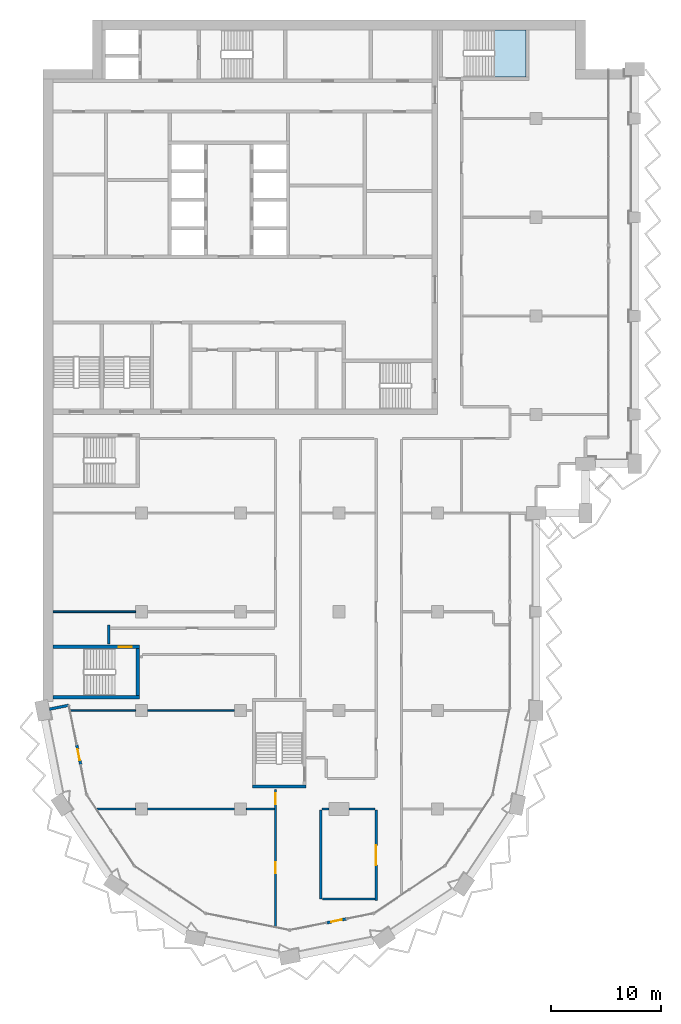
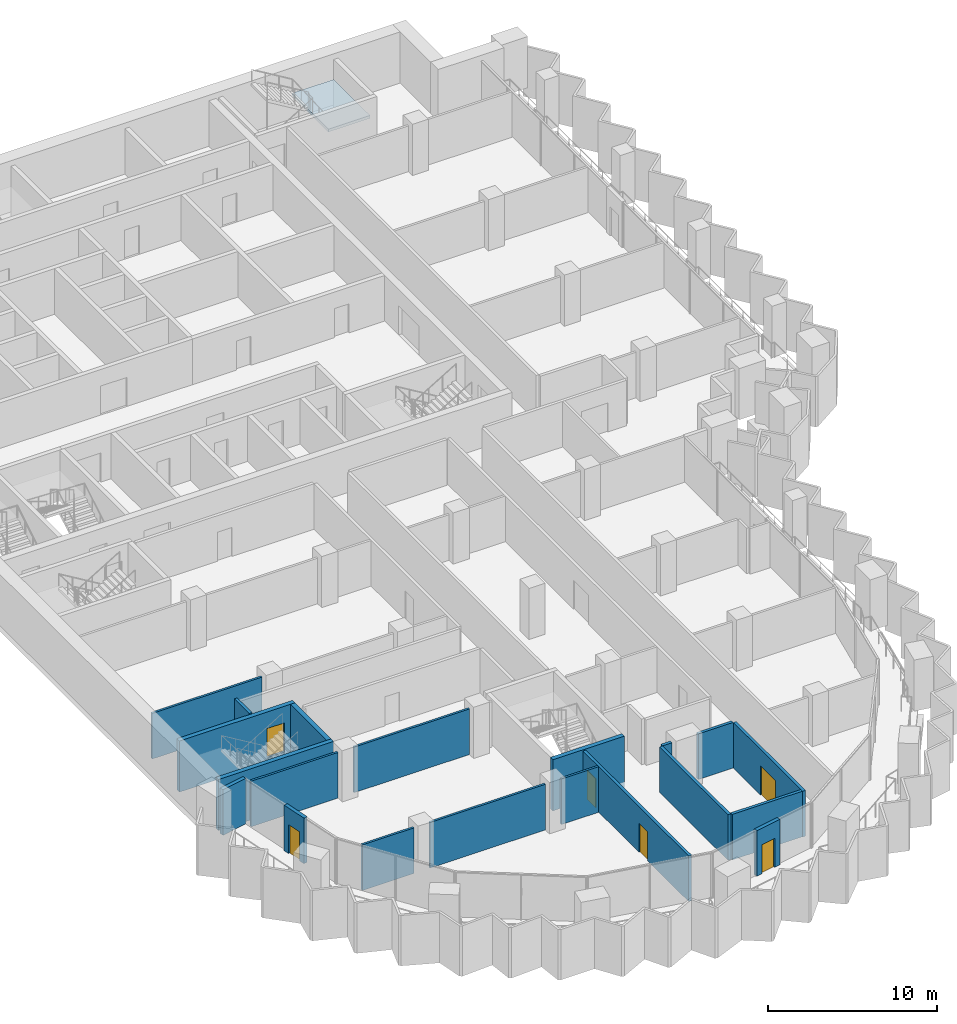
# One storey, part 7 of 17: 20 walls, 6 doors, 1 slab, 6 openings, 1 element without a shape of its own.
"""IFC4 building model written with IfcOpenShell, lengths in metres."""

from ifc_helpers import new_model, si_unit, direction, frame, frame_2d, origin, place, context, subcontext, project, spatial, polyline, rectangle, outline, extrude, material, layer, layer_set, type_object, element, fill, aggregate, save


model = new_model("IFC4")

# Units and contexts
model_context = context("Model", 3, precision=1e-05, world=origin(), true_north=direction((0.0, 1.0)))
body_context = subcontext(model_context, "Body", "Model", "MODEL_VIEW")
ifc_project = project(units=[si_unit("LENGTHUNIT", "METRE"), si_unit("AREAUNIT", "SQUARE_METRE"), si_unit("VOLUMEUNIT", "CUBIC_METRE"), si_unit("PLANEANGLEUNIT", "RADIAN"), si_unit("MASSUNIT", "GRAM", prefix="KILO")], contexts=[model_context])

# Site, building, storey
site_placement = place(None, origin())
site = spatial("IfcSite", under=ifc_project, at=site_placement, CompositionType="ELEMENT")
building_placement = place(site_placement, origin())
building = spatial("IfcBuilding", under=site, at=building_placement, Name="Hunhe Ridgeline Campus", CompositionType="ELEMENT")
storey_placement = place(building_placement, frame((0.0, 0.0, 205.0)))
storey = spatial("IfcBuildingStorey", under=building, at=storey_placement, Name="L52", CompositionType="ELEMENT", Elevation=205.0)

# Stair, slab
ifc_material_1 = material(Name="Concrete C40", Category="concrete")
stair_type = type_object("IfcStairType", Name="Reinforced concrete dog-leg stair 1950 Concrete C40", PredefinedType="HALF_TURN_STAIR", material=ifc_material_1)
stair_placement = place(storey_placement, origin())
stair = element("IfcStair", 1, at=stair_placement, inside=storey, type_object=stair_type, Name="L52 E1", PredefinedType="HALF_TURN_STAIR")
ifc_layer_1 = layer(ifc_material_1, 0.199951171875)
ifc_layer_set_1 = layer_set([ifc_layer_1], Name="Reinforced concrete stair landing 200 Concrete C40")
slab_type = type_object("IfcSlabType", Name="Reinforced concrete stair landing 200 Concrete C40", PredefinedType="LANDING", material=ifc_layer_set_1)
slab_placement = place(storey_placement, frame((0.0, 0.0, 1.64990234375)))
slab = element("IfcSlab", 2, at=slab_placement, type_object=slab_type, Name="ST5 landing 1", PredefinedType="LANDING", context=body_context, shape_type="SweptSolid", body=[
    extrude(outline(polyline([(41.199951171875, 93.800048828125), (44.050048828125, 93.800048828125), (44.050048828125, 98.10009765625), (41.199951171875, 98.10009765625), (41.199951171875, 93.800048828125)])), origin(), (0.0, 0.0, 1.0), 0.2001953125),
])
aggregate(stair, [slab])

# Walls
ifc_material_2 = material(Name="Concrete C30", Category="concrete")
ifc_layer_2 = layer(ifc_material_2, 0.25)
ifc_layer_set_2 = layer_set([ifc_layer_2], Name="Corner return wall 250 Concrete C30")
wall_type_1 = type_object("IfcWallType", Name="Corner return wall 250 Concrete C30", PredefinedType="SOLIDWALL", material=ifc_layer_set_2)
wall_1_placement = place(storey_placement, frame((0.58837890625, 36.117919921875, 0.0), z_axis=(0.0, 0.0, 1.0), x_axis=(0.980840518545, 0.194812415363, 0.0)))
element("IfcWall", 3, at=wall_1_placement, inside=storey, type_object=wall_type_1, Name="Corner return wall 1", PredefinedType="SOLIDWALL", context=body_context, shape_type="SweptSolid", body=[
    extrude(rectangle(XDim=1.80078125, YDim=0.25, at=frame_2d((0.900390625, 0.0))), origin(), (0.0, 0.0, 1.0), 3.300048828125),
])
ifc_material_3 = material(Name="Gypsum board partition")
ifc_layer_3 = layer(ifc_material_3, 0.199951171875)
ifc_layer_set_3 = layer_set([ifc_layer_3], Name="Corridor partition 200 gypsum board on steel studs")
wall_type_2 = type_object("IfcWallType", Name="Corridor partition 200 gypsum board on steel studs", PredefinedType="PARTITIONING", material=ifc_layer_set_3)
wall_2_placement = place(storey_placement, frame((25.492919921875, 18.7900390625, 0.0), z_axis=(0.0, 0.0, 1.0), x_axis=(1.0, 0.0, 0.0)))
element("IfcWall", 4, at=wall_2_placement, inside=storey, type_object=wall_type_2, Name="F-L52-wall-001", PredefinedType="PARTITIONING", context=body_context, shape_type="SweptSolid", body=[
    extrude(rectangle(XDim=4.80712890625, YDim=0.199951171875, at=frame_2d((2.403564453125, 0.0))), origin(), (0.0, 0.0, 1.0), 3.300048828125),
])
wall_3_placement = place(storey_placement, frame((26.10009765625, 27.0, 0.0), z_axis=(0.0, 0.0, 1.0), x_axis=(-1.0, 0.0, 0.0)))
element("IfcWall", 5, at=wall_3_placement, inside=storey, type_object=wall_type_2, Name="F-L52-wall-002", PredefinedType="PARTITIONING", context=body_context, shape_type="SweptSolid", body=[
    extrude(rectangle(XDim=0.650146484375, YDim=0.199951171875, at=frame_2d((0.3251953125, 0.0))), origin(), (0.0, 0.0, 1.0), 3.300048828125),
])
wall_4_placement = place(storey_placement, frame((30.300048828125, 27.0, 0.0), z_axis=(0.0, 0.0, 1.0), x_axis=(-1.0, 0.0, 0.0)))
element("IfcWall", 6, at=wall_4_placement, inside=storey, type_object=wall_type_2, Name="F-L52-wall-003", PredefinedType="PARTITIONING", context=body_context, shape_type="SweptSolid", body=[
    extrude(rectangle(XDim=2.400146484375, YDim=0.199951171875, at=frame_2d((1.2001953125, 0.0))), origin(), (0.0, 0.0, 1.0), 3.300048828125),
])
wall_5_placement = place(storey_placement, frame((6.0, 42.053955078125, 0.0), z_axis=(0.0, 0.0, 1.0), x_axis=(0.0, 1.0, 0.0)))
element("IfcWall", 7, at=wall_5_placement, inside=storey, type_object=wall_type_2, Name="F-L52-wall-045", PredefinedType="PARTITIONING", context=body_context, shape_type="SweptSolid", body=[
    extrude(rectangle(XDim=1.74609375, YDim=0.199951171875, at=frame_2d((0.873046875, 0.0))), origin(), (0.0, 0.0, 1.0), 3.300048828125),
])

# Wall, openings, doors
wall_6_placement = place(storey_placement, frame((21.199951171875, 16.26171875, 0.0), z_axis=(0.0, 0.0, 1.0), x_axis=(0.0, 1.0, 0.0)))
wall_6 = element("IfcWall", 8, at=wall_6_placement, inside=storey, type_object=wall_type_2, Name="F-L52-wall-047", PredefinedType="PARTITIONING", context=body_context, shape_type="SweptSolid", body=[
    extrude(rectangle(XDim=12.5341796875, YDim=0.199951171875, at=frame_2d((6.26708984375, 0.0))), origin(), (0.0, 0.0, 1.0), 3.300048828125),
])
opening_1_placement = place(wall_6_placement, frame((4.889892578125, 0.0, 0.0)))
opening_1 = element("IfcOpeningElement", 9, at=opening_1_placement, cuts=wall_6, Name="Opening RD1-001", PredefinedType="OPENING", context=body_context, shape_type="SweptSolid", body=[
    extrude(rectangle(XDim=1.0, YDim=2.10009765625, at=frame_2d((0.5, 1.050048828125))), frame((0.0, 0.10009765625, 0.0), z_axis=(0.0, -1.0, 0.0), x_axis=(1.0, 0.0, 0.0)), (0.0, 0.0, 1.0), 0.199951171875),
])
opening_2_placement = place(wall_6_placement, frame((11.156982421875, 0.0, 0.0)))
opening_2 = element("IfcOpeningElement", 10, at=opening_2_placement, cuts=wall_6, Name="Opening RD1-004", PredefinedType="OPENING", context=body_context, shape_type="SweptSolid", body=[
    extrude(rectangle(XDim=1.0, YDim=2.10009765625, at=frame_2d((0.5, 1.050048828125))), frame((0.0, 0.10009765625, 0.0), z_axis=(0.0, -1.0, 0.0), x_axis=(1.0, 0.0, 0.0)), (0.0, 0.0, 1.0), 0.199951171875),
])
ifc_material_4 = material(Name="Timber door leaf", Category="wood")
door_type_1 = type_object("IfcDoorType", Name="Single fire door 1000x2100 timber FD60", OperationType="NOTDEFINED", PredefinedType="DOOR", material=ifc_material_4)
door_1_placement = place(opening_1_placement, origin())
door_1 = element("IfcDoor", 11, at=door_1_placement, inside=storey, type_object=door_type_1, Name="F-L52-door-001", OperationType="SINGLE_SWING_RIGHT", OverallHeight=2.10009765625, OverallWidth=1.0, PredefinedType="DOOR", context=body_context, shape_type="SweptSolid", body=[
    extrude(rectangle(XDim=1.0, YDim=2.10009765625, at=frame_2d((0.5, 1.050048828125))), frame((0.0, 0.02490234375, 0.0), z_axis=(0.0, -1.0, 0.0), x_axis=(1.0, 0.0, 0.0)), (0.0, 0.0, 1.0), 0.050048828125),
])
fill(opening_1, door_1)
door_2_placement = place(opening_2_placement, origin())
door_2 = element("IfcDoor", 12, at=door_2_placement, inside=storey, type_object=door_type_1, Name="F-L52-door-004", OperationType="SINGLE_SWING_RIGHT", OverallHeight=2.10009765625, OverallWidth=1.0, PredefinedType="DOOR", context=body_context, shape_type="SweptSolid", body=[
    extrude(rectangle(XDim=1.0, YDim=2.10009765625, at=frame_2d((0.5, 1.050048828125))), frame((0.0, 0.02490234375, 0.0), z_axis=(0.0, -1.0, 0.0), x_axis=(1.0, 0.0, 0.0)), (0.0, 0.0, 1.0), 0.050048828125),
])
fill(opening_2, door_2)

# Wall
wall_7_placement = place(storey_placement, frame((25.35009765625, 26.89990234375, 0.0), z_axis=(0.0, 0.0, 1.0), x_axis=(0.0, -1.0, 0.0)))
element("IfcWall", 13, at=wall_7_placement, inside=storey, type_object=wall_type_2, Name="F-L52-wall-051", PredefinedType="PARTITIONING", context=body_context, shape_type="SweptSolid", body=[
    extrude(rectangle(XDim=8.10986328125, YDim=0.199951171875, at=frame_2d((4.054931640625, 0.0))), origin(), (0.0, 0.0, 1.0), 3.300048828125),
])

# Wall, opening, door
wall_8_placement = place(storey_placement, frame((30.39990234375, 18.670654296875, 0.0), z_axis=(0.0, 0.0, 1.0), x_axis=(0.0, 1.0, 0.0)))
wall_8 = element("IfcWall", 14, at=wall_8_placement, inside=storey, type_object=wall_type_2, Name="F-L52-wall-053", PredefinedType="PARTITIONING", context=body_context, shape_type="SweptSolid", body=[
    extrude(rectangle(XDim=8.229248046875, YDim=0.199951171875, at=frame_2d((4.11474609375, 0.0))), origin(), (0.0, 0.0, 1.0), 3.300048828125),
])
opening_3_placement = place(wall_8_placement, frame((3.214599609375, 0.0, 0.0)))
opening_3 = element("IfcOpeningElement", 15, at=opening_3_placement, cuts=wall_8, Name="Opening RD2-002", PredefinedType="OPENING", context=body_context, shape_type="SweptSolid", body=[
    extrude(rectangle(XDim=1.800048828125, YDim=2.10009765625, at=frame_2d((0.89990234375, 1.050048828125))), frame((0.0, 0.10009765625, 0.0), z_axis=(0.0, -1.0, 0.0), x_axis=(1.0, 0.0, 0.0)), (0.0, 0.0, 1.0), 0.199951171875),
])
door_type_2 = type_object("IfcDoorType", Name="Double fire door 1800x2100 timber FD60", OperationType="DOUBLE_DOOR_SINGLE_SWING", PredefinedType="DOOR", material=ifc_material_4)
door_3_placement = place(opening_3_placement, origin())
door_3 = element("IfcDoor", 16, at=door_3_placement, inside=storey, type_object=door_type_2, Name="F-L52-door-002", OperationType="DOUBLE_DOOR_SINGLE_SWING", OverallHeight=2.10009765625, OverallWidth=1.800048828125, PredefinedType="DOOR", context=body_context, shape_type="SweptSolid", body=[
    extrude(rectangle(XDim=1.800048828125, YDim=2.10009765625, at=frame_2d((0.89990234375, 1.050048828125))), frame((0.0, 0.02490234375, 0.0), z_axis=(0.0, -1.0, 0.0), x_axis=(1.0, 0.0, 0.0)), (0.0, 0.0, 1.0), 0.050048828125),
])
fill(opening_3, door_3)

ifc_layer_4 = layer(ifc_material_2, 0.25)
ifc_layer_set_4 = layer_set([ifc_layer_4], Name="Loggia door pier wall 250 Concrete C30")
wall_type_3 = type_object("IfcWallType", Name="Loggia door pier wall 250 Concrete C30", PredefinedType="SOLIDWALL", material=ifc_layer_set_4)
wall_9_placement = place(storey_placement, frame((3.076904296875, 32.8388671875, 0.0), z_axis=(0.0, 0.0, 1.0), x_axis=(0.195046569833, -0.980793982239, 0.0)))
wall_9 = element("IfcWall", 17, at=wall_9_placement, inside=storey, type_object=wall_type_3, Name="Loggia door pier 1", PredefinedType="SOLIDWALL", context=body_context, shape_type="SweptSolid", body=[
    extrude(rectangle(XDim=1.800048828125, YDim=0.25, at=frame_2d((0.89990234375, 0.0))), origin(), (0.0, 0.0, 1.0), 3.300048828125),
])
opening_4_placement = place(wall_9_placement, frame((0.39990234375, 0.0, 0.0)))
opening_4 = element("IfcOpeningElement", 18, at=opening_4_placement, cuts=wall_9, Name="Opening BD401", PredefinedType="OPENING", context=body_context, shape_type="SweptSolid", body=[
    extrude(rectangle(XDim=1.0, YDim=2.10009765625, at=frame_2d((0.5, 1.050048828125))), frame((0.0, 0.125, 0.0), z_axis=(0.0, -1.0, 0.0), x_axis=(1.0, 0.0, 0.0)), (0.0, 0.0, 1.0), 0.25),
])
ifc_material_5 = material(Name="Aluminium 6063", Category="aluminium")
door_type_3 = type_object("IfcDoorType", Name="Loggia glazed door 1000x2100", OperationType="NOTDEFINED", PredefinedType="DOOR", material=ifc_material_5)
door_4_placement = place(opening_4_placement, frame((1.0, 0.0, 0.0), z_axis=(0.0, 0.0, 1.0), x_axis=(-1.0, 0.0, 0.0)))
door_4 = element("IfcDoor", 19, at=door_4_placement, inside=storey, type_object=door_type_3, Name="Loggia door BD401", OperationType="SINGLE_SWING_RIGHT", OverallHeight=2.10009765625, OverallWidth=1.0, PredefinedType="DOOR", context=body_context, shape_type="SweptSolid", body=[
    extrude(rectangle(XDim=1.0, YDim=2.10009765625, at=frame_2d((0.5, 1.050048828125))), frame((0.0, 0.02490234375, 0.0), z_axis=(0.0, -1.0, 0.0), x_axis=(1.0, 0.0, 0.0)), (0.0, 0.0, 1.0), 0.050048828125),
])
fill(opening_4, door_4)

wall_10_placement = place(storey_placement, frame((25.8955078125, 16.62353515625, 0.0), z_axis=(0.0, 0.0, 1.0), x_axis=(0.980793982239, 0.195046569833, 0.0)))
wall_10 = element("IfcWall", 20, at=wall_10_placement, inside=storey, type_object=wall_type_3, Name="Loggia door pier 2", PredefinedType="SOLIDWALL", context=body_context, shape_type="SweptSolid", body=[
    extrude(rectangle(XDim=1.800048828125, YDim=0.25, at=frame_2d((0.89990234375, 0.0))), origin(), (0.0, 0.0, 1.0), 3.300048828125),
])
opening_5_placement = place(wall_10_placement, frame((0.39990234375, 0.0, 0.0)))
opening_5 = element("IfcOpeningElement", 21, at=opening_5_placement, cuts=wall_10, Name="Opening BD403", PredefinedType="OPENING", context=body_context, shape_type="SweptSolid", body=[
    extrude(rectangle(XDim=1.0, YDim=2.10009765625, at=frame_2d((0.5, 1.050048828125))), frame((0.0, 0.125, 0.0), z_axis=(0.0, -1.0, 0.0), x_axis=(1.0, 0.0, 0.0)), (0.0, 0.0, 1.0), 0.25),
])
door_5_placement = place(opening_5_placement, frame((1.0, 0.0, 0.0), z_axis=(0.0, 0.0, 1.0), x_axis=(-1.0, 0.0, 0.0)))
door_5 = element("IfcDoor", 22, at=door_5_placement, inside=storey, type_object=door_type_3, Name="Loggia door BD403", OperationType="SINGLE_SWING_RIGHT", OverallHeight=2.10009765625, OverallWidth=1.0, PredefinedType="DOOR", context=body_context, shape_type="SweptSolid", body=[
    extrude(rectangle(XDim=1.0, YDim=2.10009765625, at=frame_2d((0.5, 1.050048828125))), frame((0.0, 0.02490234375, 0.0), z_axis=(0.0, -1.0, 0.0), x_axis=(1.0, 0.0, 0.0)), (0.0, 0.0, 1.0), 0.050048828125),
])
fill(opening_5, door_5)

# Walls
ifc_layer_5 = layer(ifc_material_3, 0.14990234375)
ifc_layer_set_5 = layer_set([ifc_layer_5], Name="Room partition 150 gypsum board on steel studs")
wall_type_4 = type_object("IfcWallType", Name="Room partition 150 gypsum board on steel studs", PredefinedType="PARTITIONING", material=ifc_layer_set_5)
wall_11_placement = place(storey_placement, frame((4.925537109375, 27.0, 0.0), z_axis=(0.0, 0.0, 1.0), x_axis=(1.0, 0.0, 0.0)))
element("IfcWall", 23, at=wall_11_placement, inside=storey, type_object=wall_type_4, Name="F-L52-wall-004", PredefinedType="PARTITIONING", context=body_context, shape_type="SweptSolid", body=[
    extrude(rectangle(XDim=3.5244140625, YDim=0.14990234375, at=frame_2d((1.76220703125, 0.0))), origin(), (0.0, 0.0, 1.0), 3.300048828125),
])
wall_12_placement = place(storey_placement, frame((9.550048828125, 27.0, 0.0), z_axis=(0.0, 0.0, 1.0), x_axis=(1.0, 0.0, 0.0)))
element("IfcWall", 24, at=wall_12_placement, inside=storey, type_object=wall_type_4, Name="F-L52-wall-005", PredefinedType="PARTITIONING", context=body_context, shape_type="SweptSolid", body=[
    extrude(rectangle(XDim=7.89990234375, YDim=0.14990234375, at=frame_2d((3.949951171875, 0.0))), origin(), (0.0, 0.0, 1.0), 3.300048828125),
])
wall_13_placement = place(storey_placement, frame((18.550048828125, 27.0, 0.0), z_axis=(0.0, 0.0, 1.0), x_axis=(1.0, 0.0, 0.0)))
element("IfcWall", 25, at=wall_13_placement, inside=storey, type_object=wall_type_4, Name="F-L52-wall-006", PredefinedType="PARTITIONING", context=body_context, shape_type="SweptSolid", body=[
    extrude(rectangle(XDim=2.550048828125, YDim=0.14990234375, at=frame_2d((1.27490234375, 0.0))), origin(), (0.0, 0.0, 1.0), 3.300048828125),
])
wall_14_placement = place(storey_placement, frame((2.503173828125, 36.0, 0.0), z_axis=(0.0, 0.0, 1.0), x_axis=(1.0, 0.0, 0.0)))
element("IfcWall", 26, at=wall_14_placement, inside=storey, type_object=wall_type_4, Name="F-L52-wall-011", PredefinedType="PARTITIONING", context=body_context, shape_type="SweptSolid", body=[
    extrude(rectangle(XDim=5.94677734375, YDim=0.14990234375, at=frame_2d((2.973388671875, 0.0))), origin(), (0.0, 0.0, 1.0), 3.300048828125),
])
wall_15_placement = place(storey_placement, frame((9.550048828125, 36.0, 0.0), z_axis=(0.0, 0.0, 1.0), x_axis=(1.0, 0.0, 0.0)))
element("IfcWall", 27, at=wall_15_placement, inside=storey, type_object=wall_type_4, Name="F-L52-wall-012", PredefinedType="PARTITIONING", context=body_context, shape_type="SweptSolid", body=[
    extrude(rectangle(XDim=7.89990234375, YDim=0.14990234375, at=frame_2d((3.949951171875, 0.0))), origin(), (0.0, 0.0, 1.0), 3.300048828125),
])
wall_16_placement = place(storey_placement, frame((0.919921875, 45.0, 0.0), z_axis=(0.0, 0.0, 1.0), x_axis=(1.0, 0.0, 0.0)))
element("IfcWall", 28, at=wall_16_placement, inside=storey, type_object=wall_type_4, Name="F-L52-wall-021", PredefinedType="PARTITIONING", context=body_context, shape_type="SweptSolid", body=[
    extrude(rectangle(XDim=7.530029296875, YDim=0.14990234375, at=frame_2d((3.76513671875, 0.0))), origin(), (0.0, 0.0, 1.0), 3.300048828125),
])
ifc_material_6 = material(Name="Concrete C60", Category="concrete")
ifc_layer_6 = layer(ifc_material_6, 0.300048828125)
ifc_layer_set_6 = layer_set([ifc_layer_6], Name="Stair wall 300 reinforced concrete C60")
wall_type_5 = type_object("IfcWallType", Name="Stair wall 300 reinforced concrete C60", PredefinedType="SOLIDWALL", material=ifc_layer_set_6)
wall_17_placement = place(storey_placement, frame((19.10009765625, 29.050048828125, -0.39990234375), z_axis=(0.0, 0.0, 1.0), x_axis=(1.0, 0.0, 0.0)))
element("IfcWall", 29, at=wall_17_placement, inside=storey, type_object=wall_type_5, Name="L52 core wall 1", PredefinedType="SOLIDWALL", context=body_context, shape_type="SweptSolid", body=[
    extrude(rectangle(XDim=4.89990234375, YDim=0.300048828125, at=frame_2d((2.449951171875, 0.0))), origin(), (0.0, 0.0, 1.0), 3.699951171875),
])
wall_18_placement = place(storey_placement, frame((0.89990234375, 37.199951171875, -0.39990234375), z_axis=(0.0, 0.0, 1.0), x_axis=(1.0, 0.0, 0.0)))
element("IfcWall", 30, at=wall_18_placement, inside=storey, type_object=wall_type_5, Name="L52 core wall 3", PredefinedType="SOLIDWALL", context=body_context, shape_type="SweptSolid", body=[
    extrude(rectangle(XDim=7.900146484375, YDim=0.300048828125, at=frame_2d((3.9501953125, 0.0))), origin(), (0.0, 0.0, 1.0), 3.699951171875),
])

# Wall, opening, door
wall_19_placement = place(storey_placement, frame((0.89990234375, 41.800048828125, -0.39990234375), z_axis=(0.0, 0.0, 1.0), x_axis=(1.0, 0.0, 0.0)))
wall_19 = element("IfcWall", 31, at=wall_19_placement, inside=storey, type_object=wall_type_5, Name="L52 core wall 4", PredefinedType="SOLIDWALL", context=body_context, shape_type="SweptSolid", body=[
    extrude(rectangle(XDim=7.900146484375, YDim=0.300048828125, at=frame_2d((3.9501953125, 0.0))), origin(), (0.0, 0.0, 1.0), 3.699951171875),
])
opening_6_placement = place(wall_19_placement, frame((6.0, 0.0, 0.39990234375)))
opening_6 = element("IfcOpeningElement", 32, at=opening_6_placement, cuts=wall_19, Name="Opening CD21", PredefinedType="OPENING", context=body_context, shape_type="SweptSolid", body=[
    extrude(rectangle(XDim=1.199951171875, YDim=2.10009765625, at=frame_2d((0.60009765625, 1.050048828125))), frame((0.0, 0.14990234375, 0.0), z_axis=(0.0, -1.0, 0.0), x_axis=(1.0, 0.0, 0.0)), (0.0, 0.0, 1.0), 0.300048828125),
])
ifc_material_7 = material(Name="Hollow metal fire door leaf")
door_type_4 = type_object("IfcDoorType", Name="Stair door 1200x2100 FD60", OperationType="SINGLE_SWING_LEFT", PredefinedType="DOOR", material=ifc_material_7)
door_6_placement = place(opening_6_placement, origin())
door_6 = element("IfcDoor", 33, at=door_6_placement, inside=storey, type_object=door_type_4, Name="L52 door W1", OperationType="SINGLE_SWING_LEFT", OverallHeight=2.10009765625, OverallWidth=1.199951171875, PredefinedType="DOOR", context=body_context, shape_type="SweptSolid", body=[
    extrude(rectangle(XDim=1.199951171875, YDim=2.10009765625, at=frame_2d((0.60009765625, 1.050048828125))), frame((0.0, 0.02490234375, 0.0), z_axis=(0.0, -1.0, 0.0), x_axis=(1.0, 0.0, 0.0)), (0.0, 0.0, 1.0), 0.050048828125),
])
fill(opening_6, door_6)

# Wall
wall_20_placement = place(storey_placement, frame((8.64990234375, 37.35009765625, -0.39990234375), z_axis=(0.0, 0.0, 1.0), x_axis=(0.0, 1.0, 0.0)))
element("IfcWall", 34, at=wall_20_placement, inside=storey, type_object=wall_type_5, Name="L52 core wall 32", PredefinedType="SOLIDWALL", context=body_context, shape_type="SweptSolid", body=[
    extrude(rectangle(XDim=4.2998046875, YDim=0.300048828125, at=frame_2d((2.14990234375, 0.0))), origin(), (0.0, 0.0, 1.0), 3.699951171875),
])

save(model, "model.ifc")
